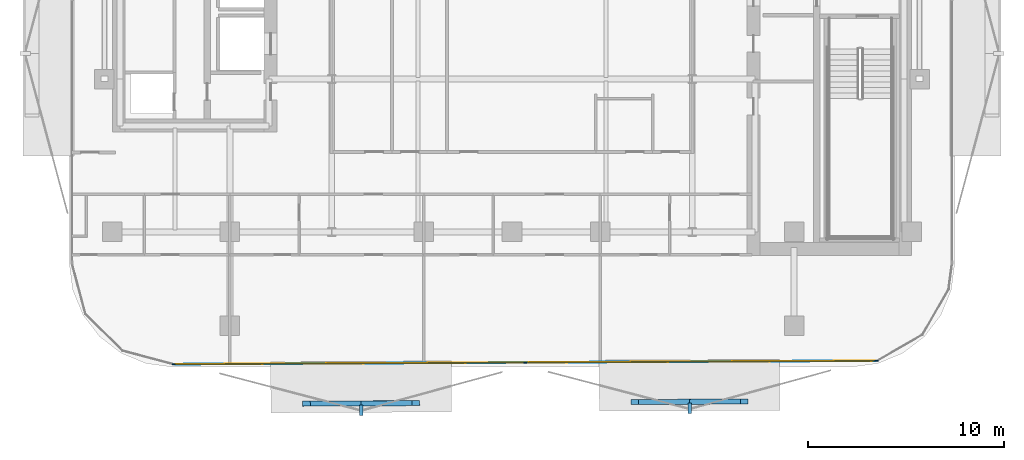
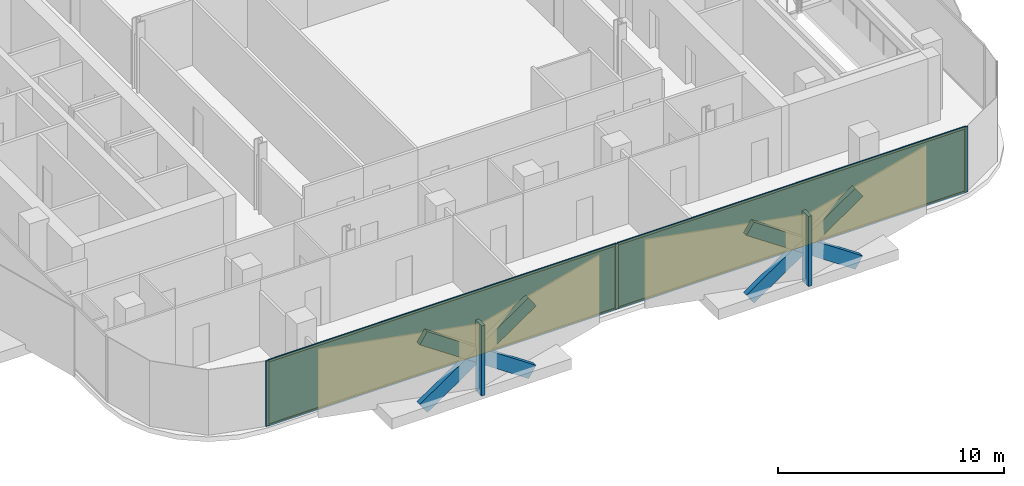
# One storey, part 9 of 17: 13 members, 2 plates, 1 curtain wall.
"""IFC4 building model written with IfcOpenShell, lengths in metres."""

from ifc_helpers import new_model, si_unit, direction, frame, frame_2d, origin, origin_2d, place, context, subcontext, project, spatial, rectangle, extrude, material, layer, layer_set, material_profile, profile_set, type_object, element, aggregate, save


model = new_model("IFC4")

# Units and contexts
model_context = context("Model", 3, precision=1e-05, world=origin(), true_north=direction((0.0, 1.0)))
body_context = subcontext(model_context, "Body", "Model", "MODEL_VIEW")
ifc_project = project(units=[si_unit("LENGTHUNIT", "METRE"), si_unit("AREAUNIT", "SQUARE_METRE"), si_unit("VOLUMEUNIT", "CUBIC_METRE"), si_unit("PLANEANGLEUNIT", "RADIAN"), si_unit("MASSUNIT", "GRAM", prefix="KILO")], contexts=[model_context])

# Member
ifc_material_1 = material(Name="Anodised Bronze Aluminium 6063-T6", Category="aluminium")
ifc_material_profile_1 = material_profile(ifc_material_1, rectangle(XDim=0.260009765625, YDim=0.699951171875, at=origin_2d()))
ifc_profile_set_1 = profile_set([ifc_material_profile_1], Name="Anodised Bronze Aluminium 6063-T6")
member_type_1 = type_object("IfcMemberType", Name="Bronze Diamond Solar-Screen Lattice Rib BDL-700", PredefinedType="MULLION", material=ifc_profile_set_1)
site_placement = place(None, origin())
building_placement = place(site_placement, origin())
storey_placement = place(building_placement, frame((0.0, 0.0, 176.39990234375)))
member_1_placement = place(storey_placement, frame((11.857666015625, -27.25634765625, -0.1298828125), z_axis=(-0.826888697943, -0.004082598107, 0.562350792305), x_axis=(-0.00768530149, 0.999962302626, -0.00404097366)))
member_1 = element("IfcMember", 1, at=member_1_placement, type_object=member_type_1, Name="L40 Bronze Diamond Solar Screen Lattice Rib 257A", PredefinedType="MULLION", context=body_context, shape_type="SweptSolid", body=[
    extrude(rectangle(XDim=0.260009765625, YDim=0.699951171875, at=origin_2d()), origin(), (0.0, 0.0, 1.0), 6.75732421875),
])

member_2_placement = place(storey_placement, frame((6.27001953125, -27.283935546875, -0.1298828125), z_axis=(0.826888697943, 0.004082598107, 0.562350792305), x_axis=(0.00768530149, -0.999962302626, -0.00404097366)))
member_2 = element("IfcMember", 2, at=member_2_placement, type_object=member_type_1, Name="L40 Bronze Diamond Solar Screen Lattice Rib 257B", PredefinedType="MULLION", context=body_context, shape_type="SweptSolid", body=[
    extrude(rectangle(XDim=0.260009765625, YDim=0.699951171875, at=origin_2d()), origin(), (0.0, 0.0, 1.0), 6.75732421875),
])

member_3_placement = place(storey_placement, frame((-4.905517578125, -27.339111328125, -0.1298828125), z_axis=(-0.826888819371, -0.004046469514, 0.562350874885), x_axis=(-0.007641611663, 0.999962637455, -0.004040973385)))
member_3 = element("IfcMember", 3, at=member_3_placement, type_object=member_type_1, Name="L40 Bronze Diamond Solar Screen Lattice Rib 258A", PredefinedType="MULLION", context=body_context, shape_type="SweptSolid", body=[
    extrude(rectangle(XDim=0.260009765625, YDim=0.699951171875, at=origin_2d()), origin(), (0.0, 0.0, 1.0), 6.75732421875),
])

member_4_placement = place(storey_placement, frame((-10.4931640625, -27.366455078125, -0.1298828125), z_axis=(0.826888819371, 0.004046469514, 0.562350874885), x_axis=(0.007641611663, -0.999962637455, -0.004040973385)))
member_4 = element("IfcMember", 4, at=member_4_placement, type_object=member_type_1, Name="L40 Bronze Diamond Solar Screen Lattice Rib 258B", PredefinedType="MULLION", context=body_context, shape_type="SweptSolid", body=[
    extrude(rectangle(XDim=0.260009765625, YDim=0.699951171875, at=origin_2d()), origin(), (0.0, 0.0, 1.0), 6.75732421875),
])

ifc_material_2 = material(Name="Anodised Bronze Aluminium 6063-T6", Category="aluminium")
ifc_material_profile_2 = material_profile(ifc_material_2, rectangle(XDim=0.179931640625, YDim=0.5400390625, at=origin_2d()))
ifc_profile_set_2 = profile_set([ifc_material_profile_2], Name="Anodised Bronze Aluminium 6063-T6")
member_type_2 = type_object("IfcMemberType", Name="Bronze Solar-Screen Vertical Fold Fin BSF-540", PredefinedType="MULLION", material=ifc_profile_set_2)
member_5_placement = place(storey_placement, frame((9.0654296875, -27.610107421875, -0.1298828125), z_axis=(0.0, 0.0, 1.0), x_axis=(-0.999988059021, -0.004886902454, 0.0)))
member_5 = element("IfcMember", 5, at=member_5_placement, type_object=member_type_2, Name="L40 Bronze Solar Screen Vertical Fin 257", PredefinedType="MULLION", context=body_context, shape_type="SweptSolid", body=[
    extrude(rectangle(XDim=0.179931640625, YDim=0.5400390625, at=origin_2d()), origin(), (0.0, 0.0, 1.0), 3.800048828125),
])

member_6_placement = place(storey_placement, frame((-7.697509765625, -27.69287109375, -0.1298828125), z_axis=(0.0, 0.0, 1.0), x_axis=(-0.999988059021, -0.004886902454, 0.0)))
member_6 = element("IfcMember", 6, at=member_6_placement, type_object=member_type_2, Name="L40 Bronze Solar Screen Vertical Fin 258", PredefinedType="MULLION", context=body_context, shape_type="SweptSolid", body=[
    extrude(rectangle(XDim=0.179931640625, YDim=0.5400390625, at=origin_2d()), origin(), (0.0, 0.0, 1.0), 3.800048828125),
])

ifc_material_3 = material(Name="Anodised Bronze Aluminium 6063-T6", Category="aluminium")
ifc_material_profile_3 = material_profile(ifc_material_3, rectangle(XDim=0.06005859375, YDim=0.1650390625, at=origin_2d()))
ifc_profile_set_3 = profile_set([ifc_material_profile_3], Name="Anodised Bronze Aluminium 6063-T6")
member_type_3 = type_object("IfcMemberType", Name="CW-Z3 Mullion 60x165", PredefinedType="MULLION", material=ifc_profile_set_3)
member_7_placement = place(storey_placement, frame((18.605224609375, -25.18310546875, 0.0), z_axis=(0.0, 0.0, 1.0), x_axis=(0.004926734175, -0.999987863572, 0.0)))
member_7 = element("IfcMember", 7, at=member_7_placement, type_object=member_type_3, Name="CW-Z3 mullion 1", PredefinedType="MULLION", context=body_context, shape_type="SweptSolid", body=[
    extrude(rectangle(XDim=0.06005859375, YDim=0.1650390625, at=origin_2d()), origin(), (0.0, 0.0, 1.0), 3.5400390625),
])

member_8_placement = place(storey_placement, frame((0.672119140625, -25.271484375, 0.0), z_axis=(0.0, 0.0, 1.0), x_axis=(0.004926734175, -0.999987863572, 0.0)))
member_8 = element("IfcMember", 8, at=member_8_placement, type_object=member_type_3, Name="CW-Z3 mullion 2", PredefinedType="MULLION", context=body_context, shape_type="SweptSolid", body=[
    extrude(rectangle(XDim=0.06005859375, YDim=0.1650390625, at=origin_2d()), origin(), (0.0, 0.0, 1.0), 3.5400390625),
])

member_9_placement = place(storey_placement, frame((-17.2607421875, -25.35986328125, 0.0), z_axis=(0.0, 0.0, 1.0), x_axis=(0.004926734175, -0.999987863572, 0.0)))
member_9 = element("IfcMember", 9, at=member_9_placement, type_object=member_type_3, Name="CW-Z3 mullion 3", PredefinedType="MULLION", context=body_context, shape_type="SweptSolid", body=[
    extrude(rectangle(XDim=0.06005859375, YDim=0.1650390625, at=origin_2d()), origin(), (0.0, 0.0, 1.0), 3.5400390625),
])

ifc_material_4 = material(Name="Anodised Bronze Aluminium 6063-T6", Category="aluminium")
ifc_material_profile_4 = material_profile(ifc_material_4, rectangle(XDim=0.06005859375, YDim=0.1298828125, at=origin_2d()))
ifc_profile_set_4 = profile_set([ifc_material_profile_4], Name="Anodised Bronze Aluminium 6063-T6")
member_type_4 = type_object("IfcMemberType", Name="CW-Z3 Transom 60x130", PredefinedType="USERDEFINED", material=ifc_profile_set_4)
member_10_placement = place(storey_placement, frame((18.5751953125, -25.183349609375, 0.030029296875), z_axis=(-0.999987909339, -0.0049174359, 0.0), x_axis=(0.0049174359, -0.999987909339, 0.0)))
member_10 = element("IfcMember", 10, at=member_10_placement, type_object=member_type_4, Name="CW-Z3 transom 1.1", ObjectType="TRANSOM", PredefinedType="USERDEFINED", context=body_context, shape_type="SweptSolid", body=[
    extrude(rectangle(XDim=0.06005859375, YDim=0.1298828125, at=origin_2d()), origin(), (0.0, 0.0, 1.0), 17.873291015625),
])

member_11_placement = place(storey_placement, frame((18.5751953125, -25.183349609375, 3.510009765625), z_axis=(-0.999987909339, -0.0049174359, 0.0), x_axis=(0.0049174359, -0.999987909339, 0.0)))
member_11 = element("IfcMember", 11, at=member_11_placement, type_object=member_type_4, Name="CW-Z3 transom 1.2", ObjectType="TRANSOM", PredefinedType="USERDEFINED", context=body_context, shape_type="SweptSolid", body=[
    extrude(rectangle(XDim=0.06005859375, YDim=0.1298828125, at=origin_2d()), origin(), (0.0, 0.0, 1.0), 17.873291015625),
])

member_12_placement = place(storey_placement, frame((0.64208984375, -25.271728515625, 0.030029296875), z_axis=(-0.999987909009, -0.00491750307, 0.0), x_axis=(0.00491750307, -0.999987909009, 0.0)))
member_12 = element("IfcMember", 12, at=member_12_placement, type_object=member_type_4, Name="CW-Z3 transom 2.1", ObjectType="TRANSOM", PredefinedType="USERDEFINED", context=body_context, shape_type="SweptSolid", body=[
    extrude(rectangle(XDim=0.06005859375, YDim=0.1298828125, at=origin_2d()), origin(), (0.0, 0.0, 1.0), 17.873046875),
])

member_13_placement = place(storey_placement, frame((0.64208984375, -25.271728515625, 3.510009765625), z_axis=(-0.999987909009, -0.00491750307, 0.0), x_axis=(0.00491750307, -0.999987909009, 0.0)))
member_13 = element("IfcMember", 13, at=member_13_placement, type_object=member_type_4, Name="CW-Z3 transom 2.2", ObjectType="TRANSOM", PredefinedType="USERDEFINED", context=body_context, shape_type="SweptSolid", body=[
    extrude(rectangle(XDim=0.06005859375, YDim=0.1298828125, at=origin_2d()), origin(), (0.0, 0.0, 1.0), 17.873046875),
])

# Plate
ifc_material_5 = material(Name="Low-E Solar Control Laminated Glass", Category="glass")
ifc_layer_1 = layer(ifc_material_5, 0.030029296875, Name="Low-E Solar Control Laminated Glass")
ifc_layer_set_1 = layer_set([ifc_layer_1], Name="Low-E Solar Control Laminated Glass")
plate_type = type_object("IfcPlateType", Name="CW-Z3 Low-E Double Glazed Panel 30mm", PredefinedType="CURTAIN_PANEL", material=ifc_layer_set_1)
plate_1_placement = place(storey_placement, frame((9.638671875, -25.227294921875, 0.06005859375), z_axis=(0.0, 0.0, 1.0), x_axis=(-0.999987863572, -0.004926734175, 0.0)))
plate_1 = element("IfcPlate", 14, at=plate_1_placement, type_object=plate_type, Name="CW-Z3 panel 1.1", PredefinedType="CURTAIN_PANEL", context=body_context, shape_type="SweptSolid", body=[
    extrude(rectangle(XDim=17.873291015625, YDim=0.030029296875, at=origin_2d()), origin(), (0.0, 0.0, 1.0), 3.419921875),
])

plate_2_placement = place(storey_placement, frame((-8.294189453125, -25.315673828125, 0.06005859375), z_axis=(0.0, 0.0, 1.0), x_axis=(-0.999987863572, -0.004926734175, 0.0)))
plate_2 = element("IfcPlate", 15, at=plate_2_placement, type_object=plate_type, Name="CW-Z3 panel 2.1", PredefinedType="CURTAIN_PANEL", context=body_context, shape_type="SweptSolid", body=[
    extrude(rectangle(XDim=17.873291015625, YDim=0.030029296875, at=origin_2d()), origin(), (0.0, 0.0, 1.0), 3.419921875),
])

# Site, building, storey
site = spatial("IfcSite", under=ifc_project, at=site_placement, CompositionType="ELEMENT")
building = spatial("IfcBuilding", under=site, at=building_placement, Name="Khairoan Windgate Tower", CompositionType="ELEMENT")
storey = spatial("IfcBuildingStorey", under=building, at=storey_placement, Name="L40", CompositionType="ELEMENT", Elevation=176.39990234375)

# Curtain wall
ifc_material_6 = material(Name="Anodised Bronze Aluminium 6063-T6", Category="aluminium")
ifc_layer_2 = layer(ifc_material_6, 0.1650390625, Name="Anodised Bronze Aluminium 6063-T6")
ifc_layer_set_2 = layer_set([ifc_layer_2], Name="Anodised Bronze Aluminium 6063-T6")
curtain_wall_type = type_object("IfcCurtainWallType", Name="Luxury Hotel Acoustic Curtain Wall CW-Z3", PredefinedType="NOTDEFINED", material=ifc_layer_set_2)
curtain_wall_placement = place(storey_placement, frame((18.63525390625, -25.18310546875, 0.0), z_axis=(0.0, 0.0, 1.0), x_axis=(-0.999987863321, -0.004926785053, 0.0)))
curtain_wall = element("IfcCurtainWall", 16, at=curtain_wall_placement, inside=storey, type_object=curtain_wall_type, Name="L40 Unitised Curtain Wall 1", PredefinedType="NOTDEFINED", context=body_context, shape_type="SweptSolid", body=[
    extrude(rectangle(XDim=35.926513671875, YDim=0.010009765625, at=frame_2d((17.96337890625, 0.0))), origin(), (0.0, 0.0, 1.0), 3.5400390625),
])

aggregate(curtain_wall, [member_7, member_8, member_9, member_10, member_11, plate_1, member_12, member_13, plate_2, member_1, member_2, member_5, member_3, member_4, member_6])

save(model, "model.ifc")
